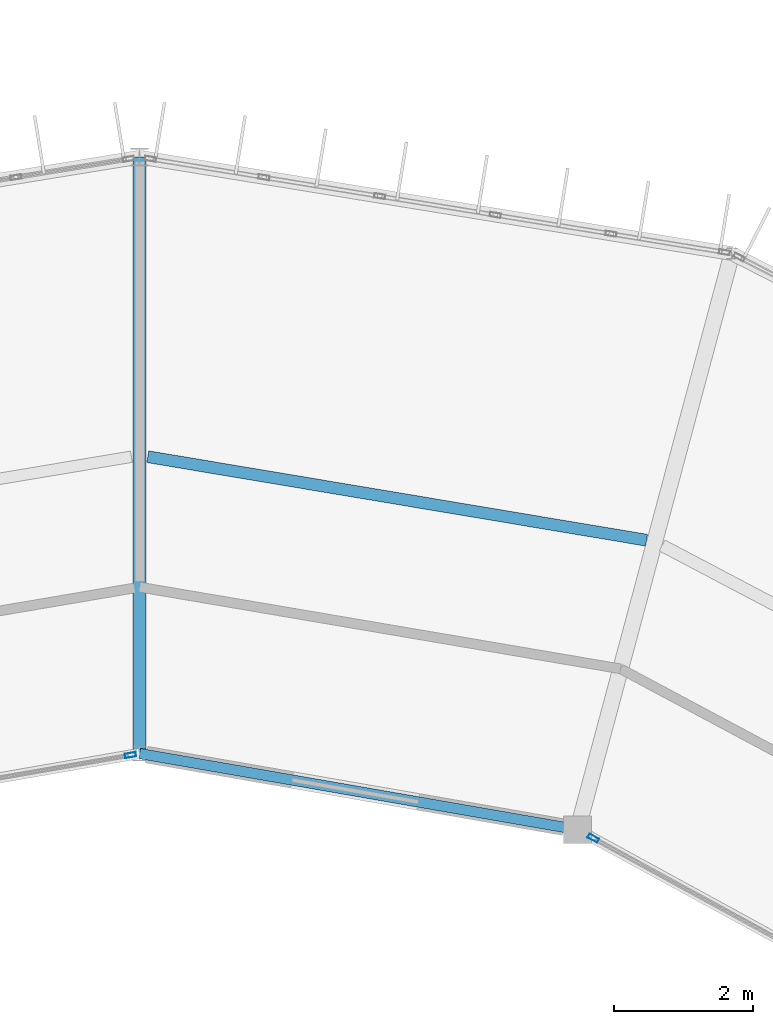
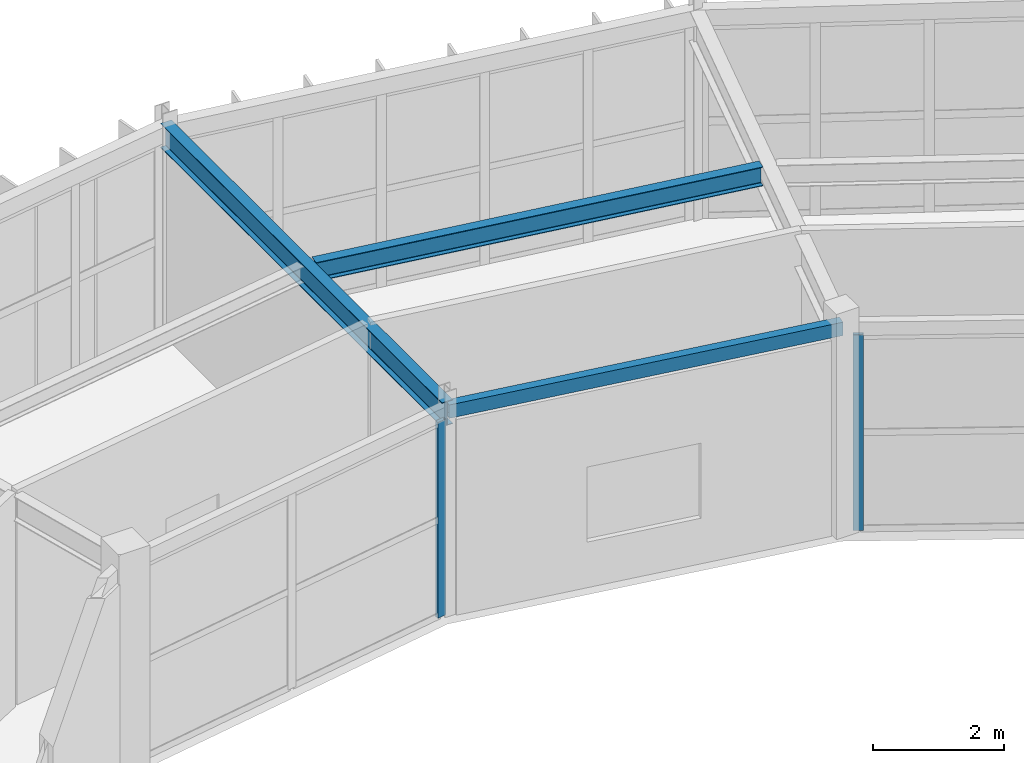
# One storey, part 77 of 130: 3 beams, 2 members, 2 elements without a shape of their own.
"""IFC4 building model written with IfcOpenShell, lengths in metres."""

from ifc_helpers import new_model, si_unit, direction, frame, origin, origin_2d, place, context, subcontext, project, spatial, hollow_rectangle, i_section, extrude, material, material_profile, profile_set, type_object, element, aggregate, save


model = new_model("IFC4")

# Units and contexts
model_context = context("Model", 3, precision=1e-05, world=origin(), true_north=direction((0.0, 1.0)))
body_context = subcontext(model_context, "Body", "Model", "MODEL_VIEW")
ifc_project = project(units=[si_unit("LENGTHUNIT", "METRE"), si_unit("AREAUNIT", "SQUARE_METRE"), si_unit("VOLUMEUNIT", "CUBIC_METRE"), si_unit("PLANEANGLEUNIT", "RADIAN"), si_unit("MASSUNIT", "GRAM", prefix="KILO")], contexts=[model_context])

# Site, building, storey
site_placement = place(None, origin())
site = spatial("IfcSite", under=ifc_project, at=site_placement, CompositionType="ELEMENT")
building_placement = place(site_placement, origin())
building = spatial("IfcBuilding", under=site, at=building_placement, Name="Karori Crest Natural Sciences Institute", CompositionType="ELEMENT")
storey_placement = place(building_placement, frame((0.0, 0.0, 17.5)))
storey = spatial("IfcBuildingStorey", under=building, at=storey_placement, Name="L04", CompositionType="ELEMENT", Elevation=17.5)

# Beams
ifc_material_1 = material(Name="Hollow structural steel AS/NZS 1163 Grade C350", Category="steel")
ifc_material_profile_1 = material_profile(ifc_material_1, hollow_rectangle(XDim=0.14990234375, YDim=0.25, WallThickness=0.009033203125, at=origin_2d()), Name="RHS250x150x9")
ifc_profile_set_1 = profile_set([ifc_material_profile_1], Name="Hollow structural steel AS/NZS 1163 Grade C350")
beam_type_1 = type_object("IfcBeamType", Name="BT-16", PredefinedType="SPANDREL", material=ifc_profile_set_1)
beam_1_placement = place(storey_placement, frame((72.715087890625, 81.002685546875, 3.7900390625), z_axis=(-0.985234948316, 0.171207758638, 0.0), x_axis=(-0.171207758638, -0.985234948316, 0.0)))
element("IfcBeam", 1, at=beam_1_placement, inside=storey, type_object=beam_type_1, Name="Beam B-0470", PredefinedType="SPANDREL", context=body_context, shape_type="SweptSolid", body=[
    extrude(hollow_rectangle(XDim=0.14990234375, YDim=0.25, WallThickness=0.009033203125, at=origin_2d()), origin(), (0.0, 0.0, 1.0), 6.409912109375),
])
ifc_material_2 = material(Name="Structural steel AS/NZS 3679.1 Grade 350", Category="steel")
ifc_material_profile_2 = material_profile(ifc_material_2, i_section(OverallWidth=0.18994140625, OverallDepth=0.4541015625, WebThickness=0.008544921875, FlangeThickness=0.0126953125, FilletRadius=0.010986328125, at=origin_2d()), Name="460UB67.1")
ifc_profile_set_2 = profile_set([ifc_material_profile_2], Name="Structural steel AS/NZS 3679.1 Grade 350")
beam_type_2 = type_object("IfcBeamType", Name="BT-28", PredefinedType="BEAM", material=ifc_profile_set_2)
beam_2_placement = place(storey_placement, frame((66.39990234375, 82.10009765625, 3.712890625), z_axis=(0.0, 1.0, 0.0), x_axis=(-1.0, 0.0, 0.0)))
element("IfcBeam", 2, at=beam_2_placement, inside=storey, type_object=beam_type_2, Name="Beam B-0475", PredefinedType="BEAM", context=body_context, shape_type="SweptSolid", body=[
    extrude(i_section(OverallWidth=0.18994140625, OverallDepth=0.4541015625, WebThickness=0.008544921875, FlangeThickness=0.0126953125, FilletRadius=0.010986328125, at=origin_2d()), origin(), (0.0, 0.0, 1.0), 8.599853515625),
])
ifc_material_profile_3 = material_profile(ifc_material_2, i_section(OverallWidth=0.1708984375, OverallDepth=0.35595703125, WebThickness=0.00732421875, FlangeThickness=0.011474609375, FilletRadius=0.010986328125, at=origin_2d()), Name="360UB50.7")
ifc_profile_set_3 = profile_set([ifc_material_profile_3], Name="Structural steel AS/NZS 3679.1 Grade 350")
beam_type_3 = type_object("IfcBeamType", Name="BT-30", PredefinedType="BEAM", material=ifc_profile_set_3)
beam_3_placement = place(storey_placement, frame((73.709716796875, 85.176025390625, 3.761962890625), z_axis=(-0.986270575365, 0.165137373632, 0.0), x_axis=(-0.165137373632, -0.986270575365, 0.0)))
element("IfcBeam", 3, at=beam_3_placement, inside=storey, type_object=beam_type_3, Name="Beam B-0472", PredefinedType="BEAM", context=body_context, shape_type="SweptSolid", body=[
    extrude(i_section(OverallWidth=0.1708984375, OverallDepth=0.35595703125, WebThickness=0.00732421875, FlangeThickness=0.011474609375, FilletRadius=0.010986328125, at=origin_2d()), origin(), (0.0, 0.0, 1.0), 7.29150390625),
])

# Curtain wall, member
ifc_material_3 = material(Name="Anodised architectural aluminium 6063-T6", Category="aluminium")
curtain_wall_type_1 = type_object("IfcCurtainWallType", Name="CWT-15", PredefinedType="NOTDEFINED", material=ifc_material_3)
curtain_wall_1_placement = place(storey_placement, origin())
curtain_wall_1 = element("IfcCurtainWall", 4, at=curtain_wall_1_placement, inside=storey, type_object=curtain_wall_type_1, Name="Curtain wall CW-0143", PredefinedType="NOTDEFINED")
ifc_material_profile_4 = material_profile(ifc_material_3, hollow_rectangle(XDim=0.06494140625, YDim=0.159912109375, WallThickness=0.00390625, at=origin_2d()), Name="CWM160x65x4")
ifc_profile_set_4 = profile_set([ifc_material_profile_4], Name="Anodised architectural aluminium 6063-T6")
member_type = type_object("IfcMemberType", Name="CWM-01", PredefinedType="MULLION", material=ifc_profile_set_4)
member_1_placement = place(storey_placement, frame((72.94189453125, 80.87890625, 0.0), z_axis=(0.0, 0.0, 1.0), x_axis=(-0.479631017431, -0.877470277057, 0.0)))
member_1 = element("IfcMember", 5, at=member_1_placement, type_object=member_type, Name="CW-0143 mullion 3", PredefinedType="MULLION", context=body_context, shape_type="SweptSolid", body=[
    extrude(hollow_rectangle(XDim=0.06494140625, YDim=0.159912109375, WallThickness=0.00390625, at=origin_2d()), origin(), (0.0, 0.0, 1.0), 3.64990234375),
])
aggregate(curtain_wall_1, [member_1])

curtain_wall_type_2 = type_object("IfcCurtainWallType", Name="CWT-12", PredefinedType="NOTDEFINED", material=ifc_material_3)
curtain_wall_2_placement = place(storey_placement, origin())
curtain_wall_2 = element("IfcCurtainWall", 6, at=curtain_wall_2_placement, inside=storey, type_object=curtain_wall_type_2, Name="Curtain wall CW-0146", PredefinedType="NOTDEFINED")
member_2_placement = place(storey_placement, frame((66.267578125, 82.076904296875, 0.0), z_axis=(0.0, 0.0, 1.0), x_axis=(0.171173924291, -0.985240827231, 0.0)))
member_2 = element("IfcMember", 7, at=member_2_placement, type_object=member_type, Name="CW-0146 mullion 1", PredefinedType="MULLION", context=body_context, shape_type="SweptSolid", body=[
    extrude(hollow_rectangle(XDim=0.06494140625, YDim=0.159912109375, WallThickness=0.00390625, at=origin_2d()), origin(), (0.0, 0.0, 1.0), 3.64990234375),
])
aggregate(curtain_wall_2, [member_2])

save(model, "model.ifc")
